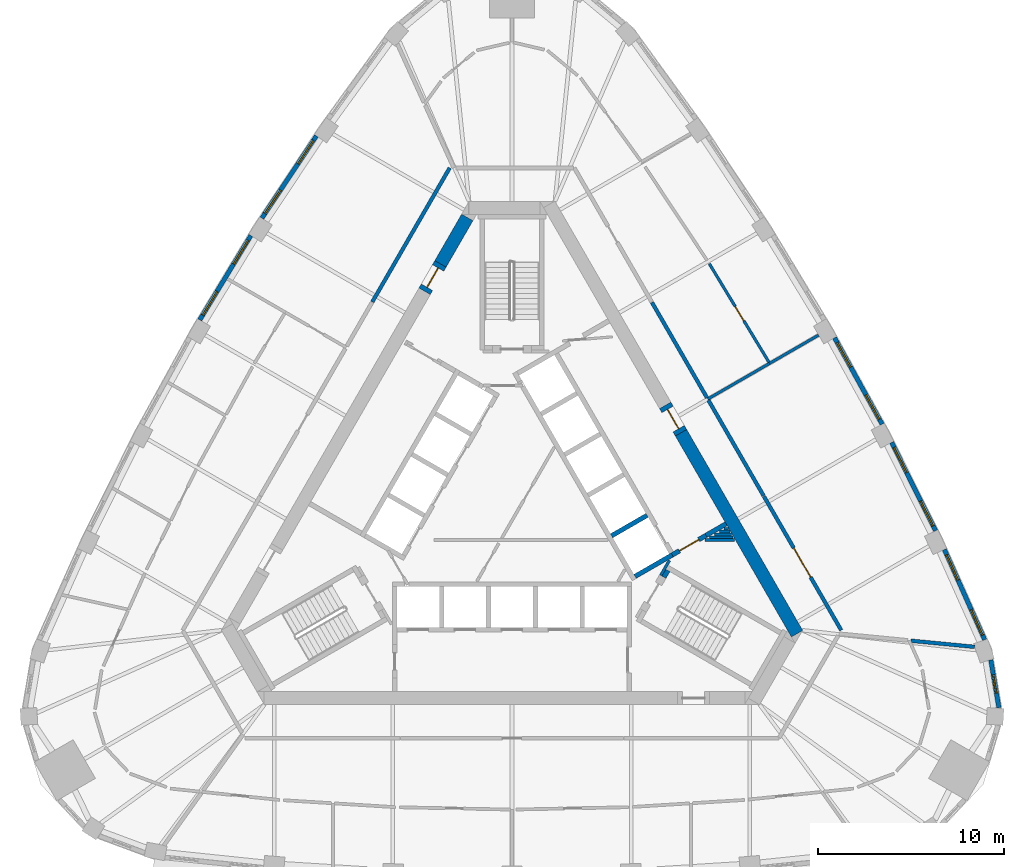
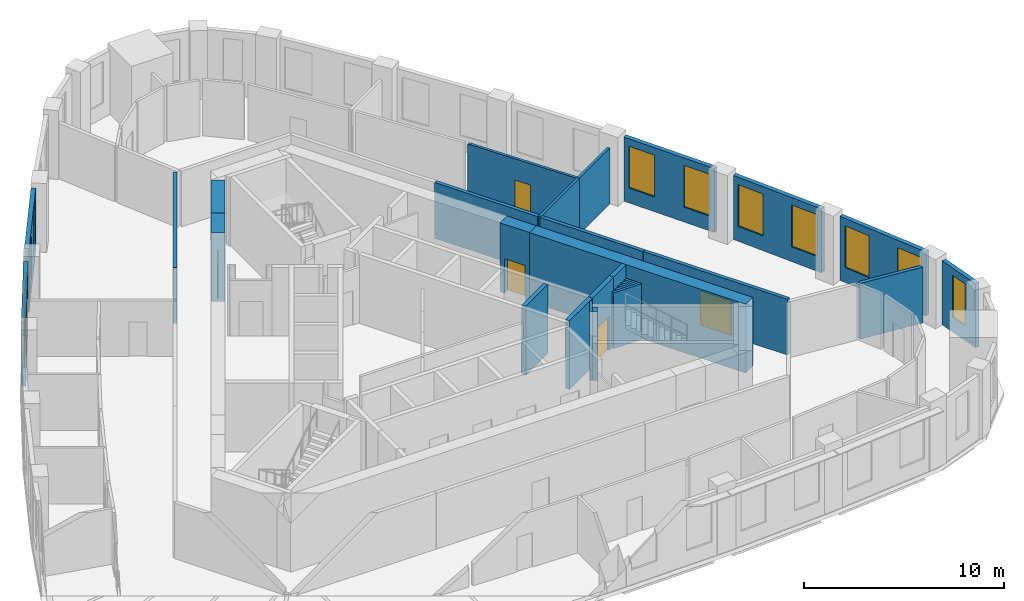
# One storey, part 7 of 11: 29 walls, 11 windows, 5 doors, 16 openings.
"""IFC4 building model written with IfcOpenShell, lengths in metres."""

from ifc_helpers import new_model, si_unit, direction, frame, frame_2d, origin, place, context, subcontext, project, spatial, rectangle, extrude, material, layer, layer_set, type_object, element, fill, save


model = new_model("IFC4")

# Units and contexts
model_context = context("Model", 3, precision=1e-05, world=origin(), true_north=direction((0.0, 1.0)))
body_context = subcontext(model_context, "Body", "Model", "MODEL_VIEW")
ifc_project = project(units=[si_unit("LENGTHUNIT", "METRE"), si_unit("AREAUNIT", "SQUARE_METRE"), si_unit("VOLUMEUNIT", "CUBIC_METRE"), si_unit("PLANEANGLEUNIT", "RADIAN"), si_unit("MASSUNIT", "GRAM", prefix="KILO")], contexts=[model_context])

# Site, building, storey
site_placement = place(None, origin())
site = spatial("IfcSite", under=ifc_project, at=site_placement, CompositionType="ELEMENT")
building_placement = place(site_placement, origin())
building = spatial("IfcBuilding", under=site, at=building_placement, Name="Mestral Congress Tower", CompositionType="ELEMENT")
storey_placement = place(building_placement, frame((0.0, 0.0, 252.0)))
storey = spatial("IfcBuildingStorey", under=building, at=storey_placement, Name="L59", CompositionType="ELEMENT", Elevation=252.0)

# Walls
ifc_material_1 = material(Name="Fire-rated board partition")
ifc_layer_1 = layer(ifc_material_1, 0.14990234375)
ifc_layer_set_1 = layer_set([ifc_layer_1], Name="Fire-rated board partition")
wall_type_1 = type_object("IfcWallType", Name="Core partition 150", PredefinedType="PARTITIONING", material=ifc_layer_set_1)
wall_1_placement = place(storey_placement, frame((10.3623046875, -1.5, 0.0), z_axis=(0.0, 0.0, 1.0), x_axis=(1.0, 0.0, 0.0)))
element("IfcWall", 1, at=wall_1_placement, inside=storey, type_object=wall_type_1, Name="L59 core wall", PredefinedType="PARTITIONING", context=body_context, shape_type="SweptSolid", body=[
    extrude(rectangle(XDim=1.60986328125, YDim=0.14990234375, at=frame_2d((0.804931640625, 0.0))), origin(), (0.0, 0.0, 1.0), 3.39990234375),
])
wall_2_placement = place(storey_placement, frame((10.6220703125, -1.35009765625, 0.0), z_axis=(0.0, 0.0, 1.0), x_axis=(1.0, 0.0, 0.0)))
element("IfcWall", 2, at=wall_2_placement, inside=storey, type_object=wall_type_1, Name="L59 core wall", PredefinedType="PARTITIONING", context=body_context, shape_type="SweptSolid", body=[
    extrude(rectangle(XDim=1.263427734375, YDim=0.14990234375, at=frame_2d((0.6318359375, 0.0))), origin(), (0.0, 0.0, 1.0), 3.39990234375),
])
wall_3_placement = place(storey_placement, frame((10.881591796875, -1.199951171875, 0.0), z_axis=(0.0, 0.0, 1.0), x_axis=(1.0, 0.0, 0.0)))
element("IfcWall", 3, at=wall_3_placement, inside=storey, type_object=wall_type_1, Name="L59 core wall", PredefinedType="PARTITIONING", context=body_context, shape_type="SweptSolid", body=[
    extrude(rectangle(XDim=0.91748046875, YDim=0.14990234375, at=frame_2d((0.458740234375, 0.0))), origin(), (0.0, 0.0, 1.0), 3.39990234375),
])
wall_4_placement = place(storey_placement, frame((11.71240234375, -1.050048828125, 0.0), z_axis=(0.0, 0.0, 1.0), x_axis=(-1.0, 0.0, 0.0)))
element("IfcWall", 4, at=wall_4_placement, inside=storey, type_object=wall_type_1, Name="L59 core wall", PredefinedType="PARTITIONING", context=body_context, shape_type="SweptSolid", body=[
    extrude(rectangle(XDim=0.57080078125, YDim=0.14990234375, at=frame_2d((0.285400390625, 0.0))), origin(), (0.0, 0.0, 1.0), 3.39990234375),
])
wall_5_placement = place(storey_placement, frame((11.4013671875, -0.89990234375, 0.0), z_axis=(0.0, 0.0, 1.0), x_axis=(1.0, 0.0, 0.0)))
element("IfcWall", 5, at=wall_5_placement, inside=storey, type_object=wall_type_1, Name="L59 core wall", PredefinedType="PARTITIONING", context=body_context, shape_type="SweptSolid", body=[
    extrude(rectangle(XDim=0.224365234375, YDim=0.14990234375, at=frame_2d((0.1123046875, 0.0))), origin(), (0.0, 0.0, 1.0), 3.39990234375),
])
ifc_material_2 = material(Name="Concrete C60/75", Category="concrete")
ifc_layer_2 = layer(ifc_material_2, 0.699951171875)
ifc_layer_set_2 = layer_set([ifc_layer_2], Name="Concrete C60/75")
wall_type_2 = type_object("IfcWallType", Name="Core wall RC 700", PredefinedType="SOLIDWALL", material=ifc_layer_set_2)
wall_6_placement = place(storey_placement, frame((9.085205078125, 4.263916015625, 0.0), z_axis=(0.0, 0.0, 1.0), x_axis=(0.499998082512, -0.866026510844, 0.0)))
element("IfcWall", 6, at=wall_6_placement, inside=storey, type_object=wall_type_2, Name="L59 core wall", PredefinedType="SOLIDWALL", context=body_context, shape_type="SweptSolid", body=[
    extrude(rectangle(XDim=12.47216796875, YDim=0.699951171875, at=frame_2d((6.236083984375, 0.0))), origin(), (0.0, 0.0, 1.0), 4.199951171875),
])
wall_7_placement = place(storey_placement, frame((-2.4033203125, 15.837158203125, 0.0), z_axis=(0.0, 0.0, 1.0), x_axis=(-0.500008214683, -0.866020660983, 0.0)))
element("IfcWall", 7, at=wall_7_placement, inside=storey, type_object=wall_type_2, Name="L59 core wall", PredefinedType="SOLIDWALL", context=body_context, shape_type="SweptSolid", body=[
    extrude(rectangle(XDim=2.88427734375, YDim=0.699951171875, at=frame_2d((1.442138671875, 0.0))), origin(), (0.0, 0.0, 1.0), 4.199951171875),
])

# Wall, opening, door
wall_8_placement = place(storey_placement, frame((-4.695556640625, 11.866943359375, 0.0), z_axis=(0.0, 0.0, 1.0), x_axis=(0.499892348375, 0.866087547558, 0.0)))
wall_8 = element("IfcWall", 8, at=wall_8_placement, inside=storey, type_object=wall_type_2, Name="L59 door wall", PredefinedType="SOLIDWALL", context=body_context, shape_type="SweptSolid", body=[
    extrude(rectangle(XDim=1.699951171875, YDim=0.699951171875, at=frame_2d((0.85009765625, 0.0))), origin(), (0.0, 0.0, 1.0), 4.199951171875),
])
opening_1_placement = place(wall_8_placement, frame((0.25, 0.0, 0.0)))
opening_1 = element("IfcOpeningElement", 9, at=opening_1_placement, cuts=wall_8, Name="Opening XD2", PredefinedType="OPENING", context=body_context, shape_type="SweptSolid", body=[
    extrude(rectangle(XDim=1.199951171875, YDim=2.10009765625, at=frame_2d((0.60009765625, 1.050048828125))), frame((0.0, 0.35986328125, 0.0), z_axis=(0.0, -1.0, 0.0), x_axis=(1.0, 0.0, 0.0)), (0.0, 0.0, 1.0), 0.719970703125),
])
ifc_material_3 = material(Name="Fire-rated steel door set", Category="steel")
door_type_1 = type_object("IfcDoorType", Name="Core door XD 1200x2100", OperationType="SINGLE_SWING_LEFT", PredefinedType="DOOR", material=ifc_material_3)
door_1_placement = place(opening_1_placement, origin())
door_1 = element("IfcDoor", 10, at=door_1_placement, inside=storey, type_object=door_type_1, Name="Door XD2", OperationType="SINGLE_SWING_LEFT", OverallHeight=2.10009765625, OverallWidth=1.199951171875, PredefinedType="DOOR", context=body_context, shape_type="SweptSolid", body=[
    extrude(rectangle(XDim=1.199951171875, YDim=2.10009765625, at=frame_2d((0.60009765625, 1.050048828125))), frame((0.0, 0.02490234375, 0.0), z_axis=(0.0, -1.0, 0.0), x_axis=(1.0, 0.0, 0.0)), (0.0, 0.0, 1.0), 0.050048828125),
])
fill(opening_1, door_1)

wall_9_placement = place(storey_placement, frame((8.2353515625, 5.736083984375, 0.0), z_axis=(0.0, 0.0, 1.0), x_axis=(0.499954529098, -0.86605165483, 0.0)))
wall_9 = element("IfcWall", 11, at=wall_9_placement, inside=storey, type_object=wall_type_2, Name="L59 door wall", PredefinedType="SOLIDWALL", context=body_context, shape_type="SweptSolid", body=[
    extrude(rectangle(XDim=1.699951171875, YDim=0.699951171875, at=frame_2d((0.85009765625, 0.0))), origin(), (0.0, 0.0, 1.0), 4.199951171875),
])
opening_2_placement = place(wall_9_placement, frame((0.25, 0.0, 0.0)))
opening_2 = element("IfcOpeningElement", 12, at=opening_2_placement, cuts=wall_9, Name="Opening XDL", PredefinedType="OPENING", context=body_context, shape_type="SweptSolid", body=[
    extrude(rectangle(XDim=1.199951171875, YDim=2.10009765625, at=frame_2d((0.60009765625, 1.050048828125))), frame((0.0, 0.35986328125, 0.0), z_axis=(0.0, -1.0, 0.0), x_axis=(1.0, 0.0, 0.0)), (0.0, 0.0, 1.0), 0.719970703125),
])
door_2_placement = place(opening_2_placement, origin())
door_2 = element("IfcDoor", 13, at=door_2_placement, inside=storey, type_object=door_type_1, Name="Door XDL", OperationType="SINGLE_SWING_LEFT", OverallHeight=2.10009765625, OverallWidth=1.199951171875, PredefinedType="DOOR", context=body_context, shape_type="SweptSolid", body=[
    extrude(rectangle(XDim=1.199951171875, YDim=2.10009765625, at=frame_2d((0.60009765625, 1.050048828125))), frame((0.0, 0.02490234375, 0.0), z_axis=(0.0, -1.0, 0.0), x_axis=(1.0, 0.0, 0.0)), (0.0, 0.0, 1.0), 0.050048828125),
])
fill(opening_2, door_2)

# Wall, opening, window
ifc_material_4 = material(Name="Precast concrete C40/50 with limestone facing", Category="masonry")
ifc_layer_3 = layer(ifc_material_4, 0.239990234375)
ifc_layer_set_3 = layer_set([ifc_layer_3], Name="Precast concrete C40/50 with limestone facing")
wall_type_3 = type_object("IfcWallType", Name="Facade stone wall 240", PredefinedType="SOLIDWALL", material=ifc_layer_set_3)
wall_10_placement = place(storey_placement, frame((26.171630859375, -10.517333984375, 0.0), z_axis=(0.0, 0.0, 1.0), x_axis=(-0.167660055546, 0.985844869021, 0.0)))
wall_10 = element("IfcWall", 14, at=wall_10_placement, inside=storey, type_object=wall_type_3, Name="Facade wall K0-3", PredefinedType="SOLIDWALL", context=body_context, shape_type="SweptSolid", body=[
    extrude(rectangle(XDim=2.609375, YDim=0.239990234375, at=frame_2d((1.3046875, 0.0))), origin(), (0.0, 0.0, 1.0), 3.89990234375),
])
opening_3_placement = place(wall_10_placement, frame((0.8046875, 0.0, 0.89990234375)))
opening_3 = element("IfcOpeningElement", 15, at=opening_3_placement, cuts=wall_10, Name="Opening W5", PredefinedType="OPENING", context=body_context, shape_type="SweptSolid", body=[
    extrude(rectangle(XDim=1.0, YDim=2.550048828125, at=frame_2d((0.5, 1.27490234375))), frame((0.0, 0.1298828125, 0.0), z_axis=(0.0, -1.0, 0.0), x_axis=(1.0, 0.0, 0.0)), (0.0, 0.0, 1.0), 0.260009765625),
])
ifc_material_5 = material(Name="Clear low-emissivity double glazing", Category="glass")
window_type_1 = type_object("IfcWindowType", Name="Facade punched window 1000 x 2550 sill 900", PartitioningType="SINGLE_PANEL", PredefinedType="WINDOW", material=ifc_material_5)
window_1_placement = place(opening_3_placement, origin())
window_1 = element("IfcWindow", 16, at=window_1_placement, inside=storey, type_object=window_type_1, Name="Window K0-3", OverallHeight=2.550048828125, OverallWidth=1.0, PartitioningType="SINGLE_PANEL", PredefinedType="WINDOW", context=body_context, shape_type="SweptSolid", body=[
    extrude(rectangle(XDim=1.0, YDim=2.550048828125, at=frame_2d((0.5, 1.27490234375))), frame((0.0, 0.0400390625, 0.0), z_axis=(0.0, -1.0, 0.0), x_axis=(1.0, 0.0, 0.0)), (0.0, 0.0, 1.0), 0.06005859375),
])
fill(opening_3, window_1)

# Wall, openings, windows
wall_11_placement = place(storey_placement, frame((25.405029296875, -6.86083984375, 0.0), z_axis=(0.0, 0.0, 1.0), x_axis=(-0.407579651789, 0.913169659728, 0.0)))
wall_11 = element("IfcWall", 17, at=wall_11_placement, inside=storey, type_object=wall_type_3, Name="Facade wall F1-00", PredefinedType="SOLIDWALL", context=body_context, shape_type="SweptSolid", body=[
    extrude(rectangle(XDim=5.310791015625, YDim=0.239990234375, at=frame_2d((2.6552734375, 0.0))), origin(), (0.0, 0.0, 1.0), 3.89990234375),
])
opening_4_placement = place(wall_11_placement, frame((0.271484375, 0.0, 0.89990234375)))
opening_4 = element("IfcOpeningElement", 18, at=opening_4_placement, cuts=wall_11, Name="Opening W4", PredefinedType="OPENING", context=body_context, shape_type="SweptSolid", body=[
    extrude(rectangle(XDim=1.5, YDim=2.550048828125, at=frame_2d((0.75, 1.27490234375))), frame((0.0, 0.1298828125, 0.0), z_axis=(0.0, -1.0, 0.0), x_axis=(1.0, 0.0, 0.0)), (0.0, 0.0, 1.0), 0.260009765625),
])
opening_5_placement = place(wall_11_placement, frame((3.50439453125, 0.0, 0.89990234375)))
opening_5 = element("IfcOpeningElement", 19, at=opening_5_placement, cuts=wall_11, Name="Opening W4", PredefinedType="OPENING", context=body_context, shape_type="SweptSolid", body=[
    extrude(rectangle(XDim=1.5, YDim=2.550048828125, at=frame_2d((0.75, 1.27490234375))), frame((0.0, 0.1298828125, 0.0), z_axis=(0.0, -1.0, 0.0), x_axis=(1.0, 0.0, 0.0)), (0.0, 0.0, 1.0), 0.260009765625),
])
window_type_2 = type_object("IfcWindowType", Name="Facade punched window 1500 x 2550 sill 900", PartitioningType="SINGLE_PANEL", PredefinedType="WINDOW", material=ifc_material_5)
window_2_placement = place(opening_4_placement, origin())
window_2 = element("IfcWindow", 20, at=window_2_placement, inside=storey, type_object=window_type_2, Name="Window F1-00a", OverallHeight=2.550048828125, OverallWidth=1.5, PartitioningType="SINGLE_PANEL", PredefinedType="WINDOW", context=body_context, shape_type="SweptSolid", body=[
    extrude(rectangle(XDim=1.5, YDim=2.550048828125, at=frame_2d((0.75, 1.27490234375))), frame((0.0, 0.0400390625, 0.0), z_axis=(0.0, -1.0, 0.0), x_axis=(1.0, 0.0, 0.0)), (0.0, 0.0, 1.0), 0.06005859375),
])
fill(opening_4, window_2)
window_3_placement = place(opening_5_placement, origin())
window_3 = element("IfcWindow", 21, at=window_3_placement, inside=storey, type_object=window_type_2, Name="Window F1-00b", OverallHeight=2.550048828125, OverallWidth=1.5, PartitioningType="SINGLE_PANEL", PredefinedType="WINDOW", context=body_context, shape_type="SweptSolid", body=[
    extrude(rectangle(XDim=1.5, YDim=2.550048828125, at=frame_2d((0.75, 1.27490234375))), frame((0.0, 0.0400390625, 0.0), z_axis=(0.0, -1.0, 0.0), x_axis=(1.0, 0.0, 0.0)), (0.0, 0.0, 1.0), 0.06005859375),
])
fill(opening_5, window_3)

wall_12_placement = place(storey_placement, frame((22.765869140625, -1.0048828125, 0.0), z_axis=(0.0, 0.0, 1.0), x_axis=(-0.445129582031, 0.895466166419, 0.0)))
wall_12 = element("IfcWall", 22, at=wall_12_placement, inside=storey, type_object=wall_type_3, Name="Facade wall F1-01", PredefinedType="SOLIDWALL", context=body_context, shape_type="SweptSolid", body=[
    extrude(rectangle(XDim=5.29833984375, YDim=0.239990234375, at=frame_2d((2.649169921875, 0.0))), origin(), (0.0, 0.0, 1.0), 3.89990234375),
])
opening_6_placement = place(wall_12_placement, frame((0.294677734375, 0.0, 0.89990234375)))
opening_6 = element("IfcOpeningElement", 23, at=opening_6_placement, cuts=wall_12, Name="Opening W4", PredefinedType="OPENING", context=body_context, shape_type="SweptSolid", body=[
    extrude(rectangle(XDim=1.5, YDim=2.550048828125, at=frame_2d((0.75, 1.27490234375))), frame((0.0, 0.1298828125, 0.0), z_axis=(0.0, -1.0, 0.0), x_axis=(1.0, 0.0, 0.0)), (0.0, 0.0, 1.0), 0.260009765625),
])
opening_7_placement = place(wall_12_placement, frame((3.503662109375, 0.0, 0.89990234375)))
opening_7 = element("IfcOpeningElement", 24, at=opening_7_placement, cuts=wall_12, Name="Opening W4", PredefinedType="OPENING", context=body_context, shape_type="SweptSolid", body=[
    extrude(rectangle(XDim=1.5, YDim=2.550048828125, at=frame_2d((0.75, 1.27490234375))), frame((0.0, 0.1298828125, 0.0), z_axis=(0.0, -1.0, 0.0), x_axis=(1.0, 0.0, 0.0)), (0.0, 0.0, 1.0), 0.260009765625),
])
window_4_placement = place(opening_6_placement, origin())
window_4 = element("IfcWindow", 25, at=window_4_placement, inside=storey, type_object=window_type_2, Name="Window F1-01a", OverallHeight=2.550048828125, OverallWidth=1.5, PartitioningType="SINGLE_PANEL", PredefinedType="WINDOW", context=body_context, shape_type="SweptSolid", body=[
    extrude(rectangle(XDim=1.5, YDim=2.550048828125, at=frame_2d((0.75, 1.27490234375))), frame((0.0, 0.0400390625, 0.0), z_axis=(0.0, -1.0, 0.0), x_axis=(1.0, 0.0, 0.0)), (0.0, 0.0, 1.0), 0.06005859375),
])
fill(opening_6, window_4)
window_5_placement = place(opening_7_placement, origin())
window_5 = element("IfcWindow", 26, at=window_5_placement, inside=storey, type_object=window_type_2, Name="Window F1-01b", OverallHeight=2.550048828125, OverallWidth=1.5, PartitioningType="SINGLE_PANEL", PredefinedType="WINDOW", context=body_context, shape_type="SweptSolid", body=[
    extrude(rectangle(XDim=1.5, YDim=2.550048828125, at=frame_2d((0.75, 1.27490234375))), frame((0.0, 0.0400390625, 0.0), z_axis=(0.0, -1.0, 0.0), x_axis=(1.0, 0.0, 0.0)), (0.0, 0.0, 1.0), 0.06005859375),
])
fill(opening_7, window_5)

wall_13_placement = place(storey_placement, frame((19.8916015625, 4.725341796875, 0.0), z_axis=(0.0, 0.0, 1.0), x_axis=(-0.481925825015, 0.876212017256, 0.0)))
wall_13 = element("IfcWall", 27, at=wall_13_placement, inside=storey, type_object=wall_type_3, Name="Facade wall F1-02", PredefinedType="SOLIDWALL", context=body_context, shape_type="SweptSolid", body=[
    extrude(rectangle(XDim=5.298583984375, YDim=0.239990234375, at=frame_2d((2.6494140625, 0.0))), origin(), (0.0, 0.0, 1.0), 3.89990234375),
])
opening_8_placement = place(wall_13_placement, frame((0.294677734375, 0.0, 0.89990234375)))
opening_8 = element("IfcOpeningElement", 28, at=opening_8_placement, cuts=wall_13, Name="Opening W4", PredefinedType="OPENING", context=body_context, shape_type="SweptSolid", body=[
    extrude(rectangle(XDim=1.5, YDim=2.550048828125, at=frame_2d((0.75, 1.27490234375))), frame((0.0, 0.1298828125, 0.0), z_axis=(0.0, -1.0, 0.0), x_axis=(1.0, 0.0, 0.0)), (0.0, 0.0, 1.0), 0.260009765625),
])
opening_9_placement = place(wall_13_placement, frame((3.503662109375, 0.0, 0.89990234375)))
opening_9 = element("IfcOpeningElement", 29, at=opening_9_placement, cuts=wall_13, Name="Opening W4", PredefinedType="OPENING", context=body_context, shape_type="SweptSolid", body=[
    extrude(rectangle(XDim=1.5, YDim=2.550048828125, at=frame_2d((0.75, 1.27490234375))), frame((0.0, 0.1298828125, 0.0), z_axis=(0.0, -1.0, 0.0), x_axis=(1.0, 0.0, 0.0)), (0.0, 0.0, 1.0), 0.260009765625),
])
window_6_placement = place(opening_8_placement, origin())
window_6 = element("IfcWindow", 30, at=window_6_placement, inside=storey, type_object=window_type_2, Name="Window F1-02a", OverallHeight=2.550048828125, OverallWidth=1.5, PartitioningType="SINGLE_PANEL", PredefinedType="WINDOW", context=body_context, shape_type="SweptSolid", body=[
    extrude(rectangle(XDim=1.5, YDim=2.550048828125, at=frame_2d((0.75, 1.27490234375))), frame((0.0, 0.0400390625, 0.0), z_axis=(0.0, -1.0, 0.0), x_axis=(1.0, 0.0, 0.0)), (0.0, 0.0, 1.0), 0.06005859375),
])
fill(opening_8, window_6)
window_7_placement = place(opening_9_placement, origin())
window_7 = element("IfcWindow", 31, at=window_7_placement, inside=storey, type_object=window_type_2, Name="Window F1-02b", OverallHeight=2.550048828125, OverallWidth=1.5, PartitioningType="SINGLE_PANEL", PredefinedType="WINDOW", context=body_context, shape_type="SweptSolid", body=[
    extrude(rectangle(XDim=1.5, YDim=2.550048828125, at=frame_2d((0.75, 1.27490234375))), frame((0.0, 0.0400390625, 0.0), z_axis=(0.0, -1.0, 0.0), x_axis=(1.0, 0.0, 0.0)), (0.0, 0.0, 1.0), 0.06005859375),
])
fill(opening_9, window_7)

wall_14_placement = place(storey_placement, frame((-10.5126953125, 20.21826171875, 0.0), z_axis=(0.0, 0.0, 1.0), x_axis=(-0.552901821755, -0.833246407433, 0.0)))
wall_14 = element("IfcWall", 32, at=wall_14_placement, inside=storey, type_object=wall_type_3, Name="Facade wall F2-01", PredefinedType="SOLIDWALL", context=body_context, shape_type="SweptSolid", body=[
    extrude(rectangle(XDim=5.29833984375, YDim=0.239990234375, at=frame_2d((2.649169921875, 0.0))), origin(), (0.0, 0.0, 1.0), 3.89990234375),
])
opening_10_placement = place(wall_14_placement, frame((0.29443359375, 0.0, 0.89990234375)))
opening_10 = element("IfcOpeningElement", 33, at=opening_10_placement, cuts=wall_14, Name="Opening W4", PredefinedType="OPENING", context=body_context, shape_type="SweptSolid", body=[
    extrude(rectangle(XDim=1.5, YDim=2.550048828125, at=frame_2d((0.75, 1.27490234375))), frame((0.0, 0.1298828125, 0.0), z_axis=(0.0, -1.0, 0.0), x_axis=(1.0, 0.0, 0.0)), (0.0, 0.0, 1.0), 0.260009765625),
])
opening_11_placement = place(wall_14_placement, frame((3.503662109375, 0.0, 0.89990234375)))
opening_11 = element("IfcOpeningElement", 34, at=opening_11_placement, cuts=wall_14, Name="Opening W4", PredefinedType="OPENING", context=body_context, shape_type="SweptSolid", body=[
    extrude(rectangle(XDim=1.5, YDim=2.550048828125, at=frame_2d((0.75, 1.27490234375))), frame((0.0, 0.1298828125, 0.0), z_axis=(0.0, -1.0, 0.0), x_axis=(1.0, 0.0, 0.0)), (0.0, 0.0, 1.0), 0.260009765625),
])
window_8_placement = place(opening_10_placement, origin())
window_8 = element("IfcWindow", 35, at=window_8_placement, inside=storey, type_object=window_type_2, Name="Window F2-01a", OverallHeight=2.550048828125, OverallWidth=1.5, PartitioningType="SINGLE_PANEL", PredefinedType="WINDOW", context=body_context, shape_type="SweptSolid", body=[
    extrude(rectangle(XDim=1.5, YDim=2.550048828125, at=frame_2d((0.75, 1.27490234375))), frame((0.0, 0.0400390625, 0.0), z_axis=(0.0, -1.0, 0.0), x_axis=(1.0, 0.0, 0.0)), (0.0, 0.0, 1.0), 0.06005859375),
])
fill(opening_10, window_8)
window_9_placement = place(opening_11_placement, origin())
window_9 = element("IfcWindow", 36, at=window_9_placement, inside=storey, type_object=window_type_2, Name="Window F2-01b", OverallHeight=2.550048828125, OverallWidth=1.5, PartitioningType="SINGLE_PANEL", PredefinedType="WINDOW", context=body_context, shape_type="SweptSolid", body=[
    extrude(rectangle(XDim=1.5, YDim=2.550048828125, at=frame_2d((0.75, 1.27490234375))), frame((0.0, 0.0400390625, 0.0), z_axis=(0.0, -1.0, 0.0), x_axis=(1.0, 0.0, 0.0)), (0.0, 0.0, 1.0), 0.06005859375),
])
fill(opening_11, window_9)

wall_15_placement = place(storey_placement, frame((-14.0380859375, 14.86376953125, 0.0), z_axis=(0.0, 0.0, 1.0), x_axis=(-0.517846166225, -0.855473756538, 0.0)))
wall_15 = element("IfcWall", 37, at=wall_15_placement, inside=storey, type_object=wall_type_3, Name="Facade wall F2-02", PredefinedType="SOLIDWALL", context=body_context, shape_type="SweptSolid", body=[
    extrude(rectangle(XDim=5.298095703125, YDim=0.239990234375, at=frame_2d((2.64892578125, 0.0))), origin(), (0.0, 0.0, 1.0), 3.89990234375),
])
opening_12_placement = place(wall_15_placement, frame((0.29443359375, 0.0, 0.89990234375)))
opening_12 = element("IfcOpeningElement", 38, at=opening_12_placement, cuts=wall_15, Name="Opening W4", PredefinedType="OPENING", context=body_context, shape_type="SweptSolid", body=[
    extrude(rectangle(XDim=1.5, YDim=2.550048828125, at=frame_2d((0.75, 1.27490234375))), frame((0.0, 0.1298828125, 0.0), z_axis=(0.0, -1.0, 0.0), x_axis=(1.0, 0.0, 0.0)), (0.0, 0.0, 1.0), 0.260009765625),
])
opening_13_placement = place(wall_15_placement, frame((3.503662109375, 0.0, 0.89990234375)))
opening_13 = element("IfcOpeningElement", 39, at=opening_13_placement, cuts=wall_15, Name="Opening W4", PredefinedType="OPENING", context=body_context, shape_type="SweptSolid", body=[
    extrude(rectangle(XDim=1.5, YDim=2.550048828125, at=frame_2d((0.75, 1.27490234375))), frame((0.0, 0.1298828125, 0.0), z_axis=(0.0, -1.0, 0.0), x_axis=(1.0, 0.0, 0.0)), (0.0, 0.0, 1.0), 0.260009765625),
])
window_10_placement = place(opening_12_placement, origin())
window_10 = element("IfcWindow", 40, at=window_10_placement, inside=storey, type_object=window_type_2, Name="Window F2-02a", OverallHeight=2.550048828125, OverallWidth=1.5, PartitioningType="SINGLE_PANEL", PredefinedType="WINDOW", context=body_context, shape_type="SweptSolid", body=[
    extrude(rectangle(XDim=1.5, YDim=2.550048828125, at=frame_2d((0.75, 1.27490234375))), frame((0.0, 0.0400390625, 0.0), z_axis=(0.0, -1.0, 0.0), x_axis=(1.0, 0.0, 0.0)), (0.0, 0.0, 1.0), 0.06005859375),
])
fill(opening_12, window_10)
window_11_placement = place(opening_13_placement, origin())
window_11 = element("IfcWindow", 41, at=window_11_placement, inside=storey, type_object=window_type_2, Name="Window F2-02b", OverallHeight=2.550048828125, OverallWidth=1.5, PartitioningType="SINGLE_PANEL", PredefinedType="WINDOW", context=body_context, shape_type="SweptSolid", body=[
    extrude(rectangle(XDim=1.5, YDim=2.550048828125, at=frame_2d((0.75, 1.27490234375))), frame((0.0, 0.0400390625, 0.0), z_axis=(0.0, -1.0, 0.0), x_axis=(1.0, 0.0, 0.0)), (0.0, 0.0, 1.0), 0.06005859375),
])
fill(opening_13, window_11)

# Walls
ifc_material_6 = material(Name="Plasterboard partition on steel studs", Category="steel")
ifc_layer_4 = layer(ifc_material_6, 0.14990234375)
ifc_layer_set_4 = layer_set([ifc_layer_4], Name="Plasterboard partition on steel studs")
wall_type_4 = type_object("IfcWallType", Name="Office partition 150", PredefinedType="PARTITIONING", material=ifc_layer_set_4)
wall_16_placement = place(storey_placement, frame((13.84423828125, 7.992919921875, 0.0), z_axis=(0.0, 0.0, 1.0), x_axis=(0.866003976688, 0.500037110984, 0.0)))
element("IfcWall", 42, at=wall_16_placement, inside=storey, type_object=wall_type_4, Name="Partition", PredefinedType="PARTITIONING", context=body_context, shape_type="SweptSolid", body=[
    extrude(rectangle(XDim=3.044677734375, YDim=0.14990234375, at=frame_2d((1.5224609375, 0.0))), origin(), (0.0, 0.0, 1.0), 3.39990234375),
])
wall_17_placement = place(storey_placement, frame((10.522216796875, 6.074951171875, 0.0), z_axis=(0.0, 0.0, 1.0), x_axis=(0.866002601515, 0.500039492609, 0.0)))
element("IfcWall", 43, at=wall_17_placement, inside=storey, type_object=wall_type_4, Name="Partition", PredefinedType="PARTITIONING", context=body_context, shape_type="SweptSolid", body=[
    extrude(rectangle(XDim=3.843994140625, YDim=0.14990234375, at=frame_2d((1.921875, 0.0))), origin(), (0.0, 0.0, 1.0), 3.39990234375),
])

# Wall, opening, door
wall_18_placement = place(storey_placement, frame((10.607421875, 13.347412109375, 0.0), z_axis=(0.0, 0.0, 1.0), x_axis=(0.517871895574, -0.855458181196, 0.0)))
wall_18 = element("IfcWall", 44, at=wall_18_placement, inside=storey, type_object=wall_type_4, Name="Partition", PredefinedType="PARTITIONING", context=body_context, shape_type="SweptSolid", body=[
    extrude(rectangle(XDim=6.181884765625, YDim=0.14990234375, at=frame_2d((3.0908203125, 0.0))), origin(), (0.0, 0.0, 1.0), 3.39990234375),
])
opening_14_placement = place(wall_18_placement, frame((2.681640625, 0.0, 0.0)))
opening_14 = element("IfcOpeningElement", 45, at=opening_14_placement, cuts=wall_18, Name="Opening O10-008", PredefinedType="OPENING", context=body_context, shape_type="SweptSolid", body=[
    extrude(rectangle(XDim=0.89990234375, YDim=2.10009765625, at=frame_2d((0.449951171875, 1.050048828125))), frame((0.0, 0.0849609375, 0.0), z_axis=(0.0, -1.0, 0.0), x_axis=(1.0, 0.0, 0.0)), (0.0, 0.0, 1.0), 0.169921875),
])
ifc_material_7 = material(Name="Timber door set", Category="wood")
door_type_2 = type_object("IfcDoorType", Name="Office door 900x2100", OperationType="SINGLE_SWING_LEFT", PredefinedType="DOOR", material=ifc_material_7)
door_3_placement = place(opening_14_placement, origin())
door_3 = element("IfcDoor", 46, at=door_3_placement, inside=storey, type_object=door_type_2, Name="Door O10-008", OperationType="SINGLE_SWING_RIGHT", OverallHeight=2.10009765625, OverallWidth=0.89990234375, PredefinedType="DOOR", context=body_context, shape_type="SweptSolid", body=[
    extrude(rectangle(XDim=0.89990234375, YDim=2.10009765625, at=frame_2d((0.449951171875, 1.050048828125))), frame((0.0, 0.02490234375, 0.0), z_axis=(0.0, -1.0, 0.0), x_axis=(1.0, 0.0, 0.0)), (0.0, 0.0, 1.0), 0.050048828125),
])
fill(opening_14, door_3)

# Walls
ifc_material_8 = material(Name="Dense masonry wall, plastered", Category="masonry")
ifc_layer_5 = layer(ifc_material_8, 0.199951171875)
ifc_layer_set_5 = layer_set([ifc_layer_5], Name="Dense masonry wall, plastered")
wall_type_5 = type_object("IfcWallType", Name="Office tenancy wall 200", PredefinedType="PARTITIONING", material=ifc_layer_set_5)
wall_19_placement = place(storey_placement, frame((21.4365234375, -6.91259765625, 0.0), z_axis=(0.0, 0.0, 1.0), x_axis=(0.995357015301, -0.096251816042, 0.0)))
element("IfcWall", 47, at=wall_19_placement, inside=storey, type_object=wall_type_5, Name="Tenancy wall", PredefinedType="PARTITIONING", context=body_context, shape_type="SweptSolid", body=[
    extrude(rectangle(XDim=3.44970703125, YDim=0.199951171875, at=frame_2d((1.724853515625, 0.0))), origin(), (0.0, 0.0, 1.0), 3.39990234375),
])
wall_20_placement = place(storey_placement, frame((13.522216796875, 0.87890625, 0.0), z_axis=(0.0, 0.0, 1.0), x_axis=(-0.499994727438, 0.866028447878, 0.0)))
element("IfcWall", 48, at=wall_20_placement, inside=storey, type_object=wall_type_5, Name="Tenancy wall", PredefinedType="PARTITIONING", context=body_context, shape_type="SweptSolid", body=[
    extrude(rectangle(XDim=5.9248046875, YDim=0.199951171875, at=frame_2d((2.96240234375, 0.0))), origin(), (0.0, 0.0, 1.0), 3.39990234375),
])

# Wall, opening, door
wall_21_placement = place(storey_placement, frame((17.69580078125, -6.35009765625, 0.0), z_axis=(0.0, 0.0, 1.0), x_axis=(-0.500009576767, 0.866019874565, 0.0)))
wall_21 = element("IfcWall", 49, at=wall_21_placement, inside=storey, type_object=wall_type_5, Name="Tenancy wall", PredefinedType="PARTITIONING", context=body_context, shape_type="SweptSolid", body=[
    extrude(rectangle(XDim=8.317138671875, YDim=0.199951171875, at=frame_2d((4.15869140625, 0.0))), origin(), (0.0, 0.0, 1.0), 3.39990234375),
])
opening_15_placement = place(wall_21_placement, frame((3.300048828125, 0.0, 0.0)))
opening_15 = element("IfcOpeningElement", 50, at=opening_15_placement, cuts=wall_21, Name="Opening O10-007", PredefinedType="OPENING", context=body_context, shape_type="SweptSolid", body=[
    extrude(rectangle(XDim=1.800048828125, YDim=2.10009765625, at=frame_2d((0.89990234375, 1.050048828125))), frame((0.0, 0.10986328125, 0.0), z_axis=(0.0, -1.0, 0.0), x_axis=(1.0, 0.0, 0.0)), (0.0, 0.0, 1.0), 0.219970703125),
])
ifc_material_9 = material(Name="Fire-rated timber door set", Category="wood")
door_type_3 = type_object("IfcDoorType", Name="Office assembly double door 1800x2100", OperationType="DOUBLE_DOOR_SINGLE_SWING", PredefinedType="DOOR", material=ifc_material_9)
door_4_placement = place(opening_15_placement, origin())
door_4 = element("IfcDoor", 51, at=door_4_placement, inside=storey, type_object=door_type_3, Name="Door O10-007", OperationType="DOUBLE_DOOR_SINGLE_SWING", OverallHeight=2.10009765625, OverallWidth=1.800048828125, PredefinedType="DOOR", context=body_context, shape_type="SweptSolid", body=[
    extrude(rectangle(XDim=1.800048828125, YDim=2.10009765625, at=frame_2d((0.89990234375, 1.050048828125))), frame((0.0, 0.02490234375, 0.0), z_axis=(0.0, -1.0, 0.0), x_axis=(1.0, 0.0, 0.0)), (0.0, 0.0, 1.0), 0.050048828125),
])
fill(opening_15, door_4)

# Walls
wall_22_placement = place(storey_placement, frame((10.484619140625, 6.139892578125, 0.0), z_axis=(0.0, 0.0, 1.0), x_axis=(-0.499976885332, 0.866038748633, 0.0)))
element("IfcWall", 52, at=wall_22_placement, inside=storey, type_object=wall_type_5, Name="Tenancy wall", PredefinedType="PARTITIONING", context=body_context, shape_type="SweptSolid", body=[
    extrude(rectangle(XDim=5.925048828125, YDim=0.199951171875, at=frame_2d((2.96240234375, 0.0))), origin(), (0.0, 0.0, 1.0), 3.39990234375),
])
wall_23_placement = place(storey_placement, frame((-3.3486328125, 18.5, 0.0), z_axis=(0.0, 0.0, 1.0), x_axis=(-0.499987561347, -0.866032585125, 0.0)))
element("IfcWall", 53, at=wall_23_placement, inside=storey, type_object=wall_type_5, Name="Tenancy wall", PredefinedType="PARTITIONING", context=body_context, shape_type="SweptSolid", body=[
    extrude(rectangle(XDim=8.317138671875, YDim=0.199951171875, at=frame_2d((4.15869140625, 0.0))), origin(), (0.0, 0.0, 1.0), 3.39990234375),
])
ifc_layer_6 = layer(ifc_material_2, 0.25)
ifc_layer_set_6 = layer_set([ifc_layer_6], Name="Concrete C60/75")
wall_type_6 = type_object("IfcWallType", Name="Shaft wall RC 250", PredefinedType="SOLIDWALL", material=ifc_layer_set_6)
wall_24_placement = place(storey_placement, frame((11.507080078125, -0.631103515625, 0.0), z_axis=(0.0, 0.0, 1.0), x_axis=(-0.866025525965, -0.499999788377, 0.0)))
element("IfcWall", 54, at=wall_24_placement, inside=storey, type_object=wall_type_6, Name="L59 core wall", PredefinedType="SOLIDWALL", context=body_context, shape_type="SweptSolid", body=[
    extrude(rectangle(XDim=1.24462890625, YDim=0.25, at=frame_2d((0.622314453125, 0.0))), origin(), (0.0, 0.0, 1.0), 4.199951171875),
])
wall_25_placement = place(storey_placement, frame((5.35400390625, -1.273681640625, 0.0), z_axis=(0.0, 0.0, 1.0), x_axis=(0.866008176907, 0.50002983664, 0.0)))
element("IfcWall", 55, at=wall_25_placement, inside=storey, type_object=wall_type_6, Name="L59 core wall", PredefinedType="SOLIDWALL", context=body_context, shape_type="SweptSolid", body=[
    extrude(rectangle(XDim=2.199951171875, YDim=0.25, at=frame_2d((1.10009765625, 0.0))), origin(), (0.0, 0.0, 1.0), 4.199951171875),
])
wall_26_placement = place(storey_placement, frame((6.614013671875, -3.4560546875, 0.0), z_axis=(0.0, 0.0, 1.0), x_axis=(0.866025089694, 0.500000544019, 0.0)))
element("IfcWall", 56, at=wall_26_placement, inside=storey, type_object=wall_type_6, Name="L59 core wall", PredefinedType="SOLIDWALL", context=body_context, shape_type="SweptSolid", body=[
    extrude(rectangle(XDim=2.30517578125, YDim=0.25, at=frame_2d((1.152587890625, 0.0))), origin(), (0.0, 0.0, 1.0), 4.199951171875),
])

# Wall, opening, door
wall_27_placement = place(storey_placement, frame((10.42919921875, -1.25341796875, 0.0), z_axis=(0.0, 0.0, 1.0), x_axis=(-0.866009402589, -0.500027713859, 0.0)))
wall_27 = element("IfcWall", 57, at=wall_27_placement, inside=storey, type_object=wall_type_6, Name="L59 door wall", PredefinedType="SOLIDWALL", context=body_context, shape_type="SweptSolid", body=[
    extrude(rectangle(XDim=2.10009765625, YDim=0.25, at=frame_2d((1.050048828125, 0.0))), origin(), (0.0, 0.0, 1.0), 4.199951171875),
])
opening_16_placement = place(wall_27_placement, frame((0.449951171875, 0.0, 0.0)))
opening_16 = element("IfcOpeningElement", 58, at=opening_16_placement, cuts=wall_27, Name="Opening LB1-PX10", PredefinedType="OPENING", context=body_context, shape_type="SweptSolid", body=[
    extrude(rectangle(XDim=1.199951171875, YDim=2.10009765625, at=frame_2d((0.60009765625, 1.050048828125))), frame((0.0, 0.135009765625, 0.0), z_axis=(0.0, -1.0, 0.0), x_axis=(1.0, 0.0, 0.0)), (0.0, 0.0, 1.0), 0.27001953125),
])
door_type_4 = type_object("IfcDoorType", Name="Core door LB 1200x2100", OperationType="SINGLE_SWING_LEFT", PredefinedType="DOOR", material=ifc_material_3)
door_5_placement = place(opening_16_placement, origin())
door_5 = element("IfcDoor", 59, at=door_5_placement, inside=storey, type_object=door_type_4, Name="Door LB1-PX10", OperationType="SINGLE_SWING_LEFT", OverallHeight=2.10009765625, OverallWidth=1.199951171875, PredefinedType="DOOR", context=body_context, shape_type="SweptSolid", body=[
    extrude(rectangle(XDim=1.199951171875, YDim=2.10009765625, at=frame_2d((0.60009765625, 1.050048828125))), frame((0.0, 0.02490234375, 0.0), z_axis=(0.0, -1.0, 0.0), x_axis=(1.0, 0.0, 0.0)), (0.0, 0.0, 1.0), 0.050048828125),
])
fill(opening_16, door_5)

# Walls
ifc_layer_7 = layer(ifc_material_2, 0.14990234375)
ifc_layer_set_7 = layer_set([ifc_layer_7], Name="Concrete C60/75")
wall_type_7 = type_object("IfcWallType", Name="Shaft wall RC 250 door-wall 150", PredefinedType="SOLIDWALL", material=ifc_layer_set_7)
wall_28_placement = place(storey_placement, frame((8.459228515625, -2.59912109375, 0.0), z_axis=(0.0, 0.0, 1.0), x_axis=(-0.500041054325, -0.866001699761, 0.0)))
element("IfcWall", 60, at=wall_28_placement, inside=storey, type_object=wall_type_7, Name="L59 core wall", PredefinedType="PARTITIONING", context=body_context, shape_type="SweptSolid", body=[
    extrude(rectangle(XDim=0.9287109375, YDim=0.14990234375, at=frame_2d((0.46435546875, 0.0))), origin(), (0.0, 0.0, 1.0), 4.199951171875),
])
ifc_layer_8 = layer(ifc_material_2, 0.25)
ifc_layer_set_8 = layer_set([ifc_layer_8], Name="Concrete C60/75")
wall_type_8 = type_object("IfcWallType", Name="Stair wall RC 250", PredefinedType="SOLIDWALL", material=ifc_layer_set_8)
wall_29_placement = place(storey_placement, frame((8.167724609375, -3.503173828125, 0.0), z_axis=(0.0, 0.0, 1.0), x_axis=(0.49972245349, 0.866185586049, 0.0)))
element("IfcWall", 61, at=wall_29_placement, inside=storey, type_object=wall_type_8, Name="L59 core wall", PredefinedType="SOLIDWALL", context=body_context, shape_type="SweptSolid", body=[
    extrude(rectangle(XDim=0.425048828125, YDim=0.25, at=frame_2d((0.21240234375, 0.0))), origin(), (0.0, 0.0, 1.0), 4.199951171875),
])

save(model, "model.ifc")
